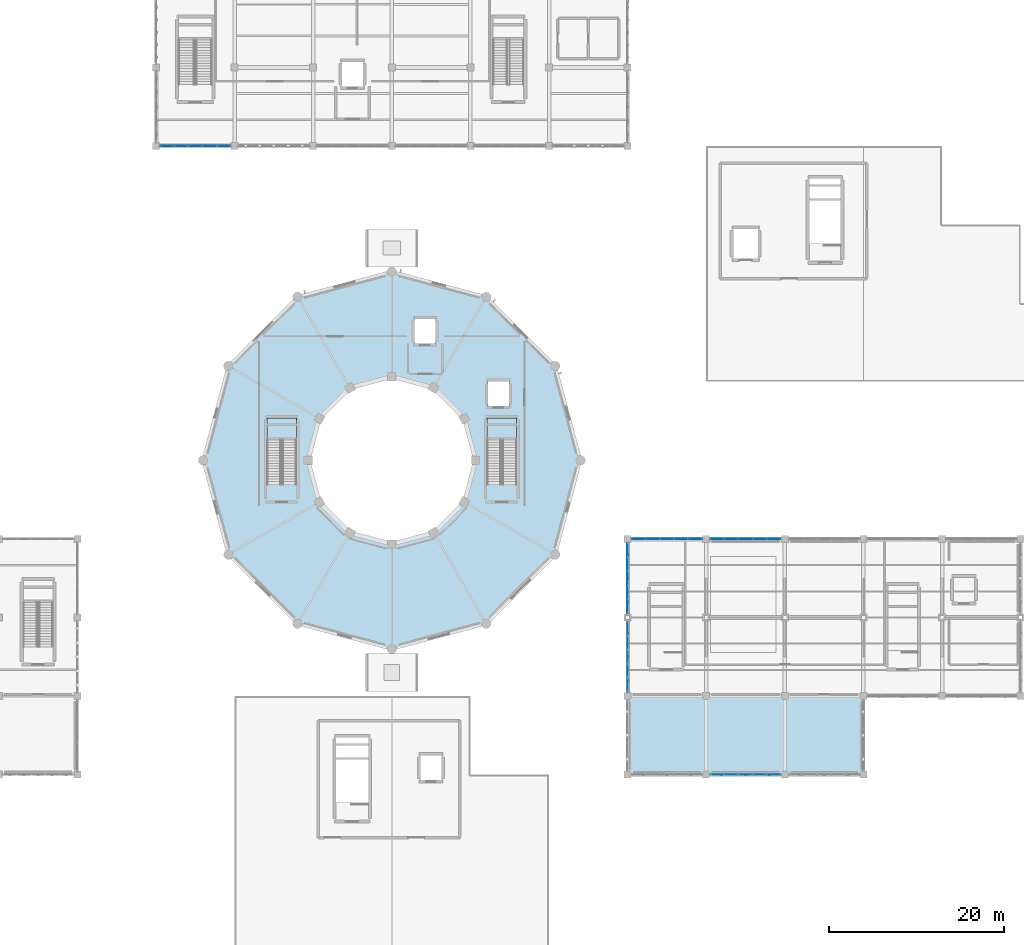
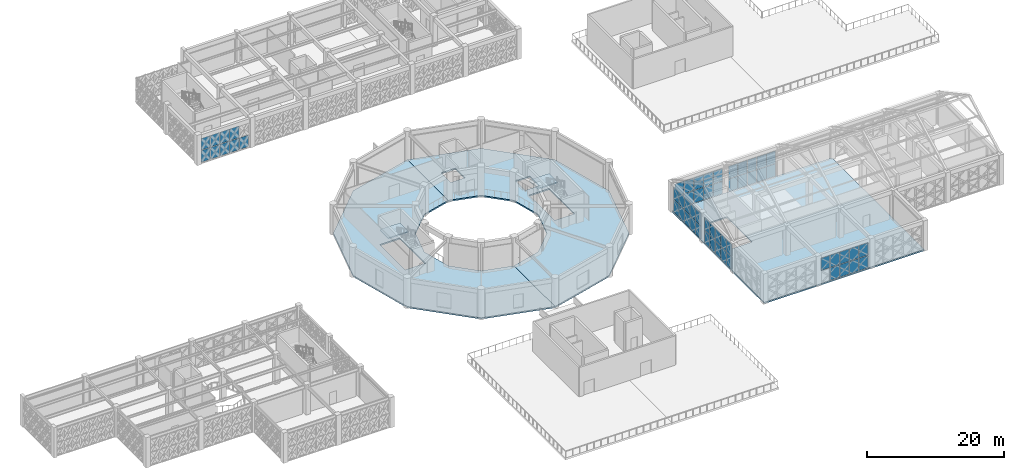
# One storey, part 64 of 86: 58 plates, 5 slabs, 8 elements without a shape of their own.
"""IFC4 building model written with IfcOpenShell, lengths in metres."""

from ifc_helpers import new_model, si_unit, direction, frame, origin, origin_2d, place, context, subcontext, project, spatial, polyline, rectangle, outline, extrude, material, layer, layer_set, type_object, element, aggregate, save


model = new_model("IFC4")

# Units and contexts
model_context = context("Model", 3, precision=1e-05, world=origin(), true_north=direction((0.0, 1.0)))
body_context = subcontext(model_context, "Body", "Model", "MODEL_VIEW")
ifc_project = project(units=[si_unit("LENGTHUNIT", "METRE"), si_unit("AREAUNIT", "SQUARE_METRE"), si_unit("VOLUMEUNIT", "CUBIC_METRE"), si_unit("PLANEANGLEUNIT", "RADIAN"), si_unit("MASSUNIT", "GRAM", prefix="KILO")], contexts=[model_context])

# Site, building, storey
site_placement = place(None, origin())
site = spatial("IfcSite", under=ifc_project, at=site_placement, CompositionType="ELEMENT")
building_placement = place(site_placement, origin())
building = spatial("IfcBuilding", under=site, at=building_placement, Name="Haizhuo Lancet Aquarium", CompositionType="ELEMENT")
storey_placement = place(building_placement, frame((0.0, 0.0, 16.199951171875)))
storey = spatial("IfcBuildingStorey", under=building, at=storey_placement, Name="L03", CompositionType="ELEMENT", Elevation=16.199951171875)

# Curtain wall, plates
ifc_material_1 = material(Name="Aluminium 6063-T6", Category="aluminium")
curtain_wall_type_1 = type_object("IfcCurtainWallType", Name="CWO-8110x4700", PredefinedType="NOTDEFINED", material=ifc_material_1)
curtain_wall_1_placement = place(storey_placement, origin())
curtain_wall_1 = element("IfcCurtainWall", 1, at=curtain_wall_1_placement, inside=storey, type_object=curtain_wall_type_1, Name="L03 curtain wall CW-V3-L03-081", PredefinedType="NOTDEFINED")
ifc_material_2 = material(Name="Laminated Low-E Glass", Category="glass")
ifc_layer_1 = layer(ifc_material_2, 0.028076171875)
ifc_layer_set_1 = layer_set([ifc_layer_1], Name="Laminated Low-E Glass")
plate_type_1 = type_object("IfcPlateType", Name="CW-PNL-1", PredefinedType="CURTAIN_PANEL", material=ifc_layer_set_1)
plate_1_placement = place(storey_placement, frame((27.0, -25.72412109375, 0.080078125), z_axis=(0.0, 0.0, 1.0), x_axis=(0.0, 1.0, 0.0)))
plate_1 = element("IfcPlate", 2, at=plate_1_placement, type_object=plate_type_1, Name="CWO-81x47 panel 1.1", PredefinedType="CURTAIN_PANEL", context=body_context, shape_type="SweptSolid", body=[
    extrude(rectangle(XDim=1.501953125, YDim=0.028076171875, at=origin_2d()), origin(), (0.0, 0.0, 1.0), 2.22998046875),
])
plate_2_placement = place(storey_placement, frame((27.0, -25.72412109375, 2.39013671875), z_axis=(0.0, 0.0, 1.0), x_axis=(0.0, 1.0, 0.0)))
plate_2 = element("IfcPlate", 3, at=plate_2_placement, type_object=plate_type_1, Name="CWO-81x47 panel 1.2", PredefinedType="CURTAIN_PANEL", context=body_context, shape_type="SweptSolid", body=[
    extrude(rectangle(XDim=1.501953125, YDim=0.028076171875, at=origin_2d()), origin(), (0.0, 0.0, 1.0), 2.22998046875),
])
plate_3_placement = place(storey_placement, frame((27.0, -24.1220703125, 0.080078125), z_axis=(0.0, 0.0, 1.0), x_axis=(0.0, 1.0, 0.0)))
plate_3 = element("IfcPlate", 4, at=plate_3_placement, type_object=plate_type_1, Name="CWO-81x47 panel 2.1", PredefinedType="CURTAIN_PANEL", context=body_context, shape_type="SweptSolid", body=[
    extrude(rectangle(XDim=1.5419921875, YDim=0.028076171875, at=origin_2d()), origin(), (0.0, 0.0, 1.0), 2.22998046875),
])
plate_4_placement = place(storey_placement, frame((27.0, -24.1220703125, 2.39013671875), z_axis=(0.0, 0.0, 1.0), x_axis=(0.0, 1.0, 0.0)))
plate_4 = element("IfcPlate", 5, at=plate_4_placement, type_object=plate_type_1, Name="CWO-81x47 panel 2.2", PredefinedType="CURTAIN_PANEL", context=body_context, shape_type="SweptSolid", body=[
    extrude(rectangle(XDim=1.5419921875, YDim=0.028076171875, at=origin_2d()), origin(), (0.0, 0.0, 1.0), 2.22998046875),
])
plate_5_placement = place(storey_placement, frame((27.0, -22.5, 0.080078125), z_axis=(0.0, 0.0, 1.0), x_axis=(0.0, 1.0, 0.0)))
plate_5 = element("IfcPlate", 6, at=plate_5_placement, type_object=plate_type_1, Name="CWO-81x47 panel 3.1", PredefinedType="CURTAIN_PANEL", context=body_context, shape_type="SweptSolid", body=[
    extrude(rectangle(XDim=1.5419921875, YDim=0.028076171875, at=origin_2d()), origin(), (0.0, 0.0, 1.0), 2.22998046875),
])
plate_6_placement = place(storey_placement, frame((27.0, -22.5, 2.39013671875), z_axis=(0.0, 0.0, 1.0), x_axis=(0.0, 1.0, 0.0)))
plate_6 = element("IfcPlate", 7, at=plate_6_placement, type_object=plate_type_1, Name="CWO-81x47 panel 3.2", PredefinedType="CURTAIN_PANEL", context=body_context, shape_type="SweptSolid", body=[
    extrude(rectangle(XDim=1.5419921875, YDim=0.028076171875, at=origin_2d()), origin(), (0.0, 0.0, 1.0), 2.22998046875),
])
plate_7_placement = place(storey_placement, frame((27.0, -20.8779296875, 0.080078125), z_axis=(0.0, 0.0, 1.0), x_axis=(0.0, 1.0, 0.0)))
plate_7 = element("IfcPlate", 8, at=plate_7_placement, type_object=plate_type_1, Name="CWO-81x47 panel 4.1", PredefinedType="CURTAIN_PANEL", context=body_context, shape_type="SweptSolid", body=[
    extrude(rectangle(XDim=1.5419921875, YDim=0.028076171875, at=origin_2d()), origin(), (0.0, 0.0, 1.0), 2.22998046875),
])
plate_8_placement = place(storey_placement, frame((27.0, -20.8779296875, 2.39013671875), z_axis=(0.0, 0.0, 1.0), x_axis=(0.0, 1.0, 0.0)))
plate_8 = element("IfcPlate", 9, at=plate_8_placement, type_object=plate_type_1, Name="CWO-81x47 panel 4.2", PredefinedType="CURTAIN_PANEL", context=body_context, shape_type="SweptSolid", body=[
    extrude(rectangle(XDim=1.5419921875, YDim=0.028076171875, at=origin_2d()), origin(), (0.0, 0.0, 1.0), 2.22998046875),
])
plate_9_placement = place(storey_placement, frame((27.0, -19.27587890625, 0.080078125), z_axis=(0.0, 0.0, 1.0), x_axis=(0.0, 1.0, 0.0)))
plate_9 = element("IfcPlate", 10, at=plate_9_placement, type_object=plate_type_1, Name="CWO-81x47 panel 5.1", PredefinedType="CURTAIN_PANEL", context=body_context, shape_type="SweptSolid", body=[
    extrude(rectangle(XDim=1.501953125, YDim=0.028076171875, at=origin_2d()), origin(), (0.0, 0.0, 1.0), 2.22998046875),
])
plate_10_placement = place(storey_placement, frame((27.0, -19.27587890625, 2.39013671875), z_axis=(0.0, 0.0, 1.0), x_axis=(0.0, 1.0, 0.0)))
plate_10 = element("IfcPlate", 11, at=plate_10_placement, type_object=plate_type_1, Name="CWO-81x47 panel 5.2", PredefinedType="CURTAIN_PANEL", context=body_context, shape_type="SweptSolid", body=[
    extrude(rectangle(XDim=1.501953125, YDim=0.028076171875, at=origin_2d()), origin(), (0.0, 0.0, 1.0), 2.22998046875),
])
aggregate(curtain_wall_1, [plate_1, plate_2, plate_3, plate_4, plate_5, plate_6, plate_7, plate_8, plate_9, plate_10])

curtain_wall_type_2 = type_object("IfcCurtainWallType", Name="CWD-8110x4400", PredefinedType="NOTDEFINED", material=ifc_material_1)
curtain_wall_2_placement = place(storey_placement, origin())
curtain_wall_2 = element("IfcCurtainWall", 12, at=curtain_wall_2_placement, inside=storey, type_object=curtain_wall_type_2, Name="L03 curtain wall CW-V5-L03-173", PredefinedType="NOTDEFINED")
plate_11_placement = place(storey_placement, frame((-19.27490234375, 36.0, 0.07568359375), z_axis=(0.0, 0.0, 1.0), x_axis=(-1.0, 0.0, 0.0)))
plate_11 = element("IfcPlate", 13, at=plate_11_placement, type_object=plate_type_1, Name="CWD-81x44 panel 1.1", PredefinedType="CURTAIN_PANEL", context=body_context, shape_type="SweptSolid", body=[
    extrude(rectangle(XDim=1.509033203125, YDim=0.028076171875, at=origin_2d()), origin(), (0.0, 0.0, 1.0), 2.0869140625),
])
plate_12_placement = place(storey_placement, frame((-20.8779296875, 36.0, 0.07568359375), z_axis=(0.0, 0.0, 1.0), x_axis=(-1.0, 0.0, 0.0)))
plate_12 = element("IfcPlate", 14, at=plate_12_placement, type_object=plate_type_1, Name="CWD-81x44 panel 2.1", PredefinedType="CURTAIN_PANEL", context=body_context, shape_type="SweptSolid", body=[
    extrude(rectangle(XDim=1.547119140625, YDim=0.028076171875, at=origin_2d()), origin(), (0.0, 0.0, 1.0), 2.0869140625),
])
plate_13_placement = place(storey_placement, frame((-20.8779296875, 36.0, 2.237548828125), z_axis=(0.0, 0.0, 1.0), x_axis=(-1.0, 0.0, 0.0)))
plate_13 = element("IfcPlate", 15, at=plate_13_placement, type_object=plate_type_1, Name="CWD-81x44 panel 2.2", PredefinedType="CURTAIN_PANEL", context=body_context, shape_type="SweptSolid", body=[
    extrude(rectangle(XDim=1.547119140625, YDim=0.028076171875, at=origin_2d()), origin(), (0.0, 0.0, 1.0), 2.0869140625),
])
plate_14_placement = place(storey_placement, frame((-22.5, 36.0, 0.07568359375), z_axis=(0.0, 0.0, 1.0), x_axis=(-1.0, 0.0, 0.0)))
plate_14 = element("IfcPlate", 16, at=plate_14_placement, type_object=plate_type_1, Name="CWD-81x44 panel 3.1", PredefinedType="CURTAIN_PANEL", context=body_context, shape_type="SweptSolid", body=[
    extrude(rectangle(XDim=1.547119140625, YDim=0.028076171875, at=origin_2d()), origin(), (0.0, 0.0, 1.0), 2.0869140625),
])
plate_15_placement = place(storey_placement, frame((-22.5, 36.0, 2.237548828125), z_axis=(0.0, 0.0, 1.0), x_axis=(-1.0, 0.0, 0.0)))
plate_15 = element("IfcPlate", 17, at=plate_15_placement, type_object=plate_type_1, Name="CWD-81x44 panel 3.2", PredefinedType="CURTAIN_PANEL", context=body_context, shape_type="SweptSolid", body=[
    extrude(rectangle(XDim=1.547119140625, YDim=0.028076171875, at=origin_2d()), origin(), (0.0, 0.0, 1.0), 2.0869140625),
])
plate_16_placement = place(storey_placement, frame((-24.1220703125, 36.0, 0.07568359375), z_axis=(0.0, 0.0, 1.0), x_axis=(-1.0, 0.0, 0.0)))
plate_16 = element("IfcPlate", 18, at=plate_16_placement, type_object=plate_type_1, Name="CWD-81x44 panel 4.1", PredefinedType="CURTAIN_PANEL", context=body_context, shape_type="SweptSolid", body=[
    extrude(rectangle(XDim=1.547119140625, YDim=0.028076171875, at=origin_2d()), origin(), (0.0, 0.0, 1.0), 2.0869140625),
])
plate_17_placement = place(storey_placement, frame((-24.1220703125, 36.0, 2.237548828125), z_axis=(0.0, 0.0, 1.0), x_axis=(-1.0, 0.0, 0.0)))
plate_17 = element("IfcPlate", 19, at=plate_17_placement, type_object=plate_type_1, Name="CWD-81x44 panel 4.2", PredefinedType="CURTAIN_PANEL", context=body_context, shape_type="SweptSolid", body=[
    extrude(rectangle(XDim=1.547119140625, YDim=0.028076171875, at=origin_2d()), origin(), (0.0, 0.0, 1.0), 2.0869140625),
])
plate_18_placement = place(storey_placement, frame((-25.72509765625, 36.0, 0.07568359375), z_axis=(0.0, 0.0, 1.0), x_axis=(-1.0, 0.0, 0.0)))
plate_18 = element("IfcPlate", 20, at=plate_18_placement, type_object=plate_type_1, Name="CWD-81x44 panel 5.1", PredefinedType="CURTAIN_PANEL", context=body_context, shape_type="SweptSolid", body=[
    extrude(rectangle(XDim=1.510009765625, YDim=0.028076171875, at=origin_2d()), origin(), (0.0, 0.0, 1.0), 2.0869140625),
])
plate_19_placement = place(storey_placement, frame((-25.72509765625, 36.0, 2.237548828125), z_axis=(0.0, 0.0, 1.0), x_axis=(-1.0, 0.0, 0.0)))
plate_19 = element("IfcPlate", 21, at=plate_19_placement, type_object=plate_type_1, Name="CWD-81x44 panel 5.2", PredefinedType="CURTAIN_PANEL", context=body_context, shape_type="SweptSolid", body=[
    extrude(rectangle(XDim=1.510009765625, YDim=0.028076171875, at=origin_2d()), origin(), (0.0, 0.0, 1.0), 2.0869140625),
])
aggregate(curtain_wall_2, [plate_11, plate_12, plate_13, plate_14, plate_15, plate_16, plate_17, plate_18, plate_19])

curtain_wall_type_3 = type_object("IfcCurtainWallType", Name="CWO-8110x4650", PredefinedType="NOTDEFINED", material=ifc_material_1)
curtain_wall_3_placement = place(storey_placement, origin())
curtain_wall_3 = element("IfcCurtainWall", 22, at=curtain_wall_3_placement, inside=storey, type_object=curtain_wall_type_3, Name="L03 curtain wall CW-V3-L03-078", PredefinedType="NOTDEFINED")
ifc_layer_2 = layer(ifc_material_2, 0.033935546875)
ifc_layer_set_2 = layer_set([ifc_layer_2], Name="Laminated Low-E Glass")
plate_type_2 = type_object("IfcPlateType", Name="CW-PNL-2", PredefinedType="CURTAIN_PANEL", material=ifc_layer_set_2)
plate_20_placement = place(storey_placement, frame((43.72412109375, -36.0, 0.08056640625), z_axis=(0.0, 0.0, 1.0), x_axis=(-1.0, 0.0, 0.0)))
plate_20 = element("IfcPlate", 23, at=plate_20_placement, type_object=plate_type_2, Name="CWO-81x46 panel 1.1", PredefinedType="CURTAIN_PANEL", context=body_context, shape_type="SweptSolid", body=[
    extrude(rectangle(XDim=1.501953125, YDim=0.033935546875, at=origin_2d()), origin(), (0.0, 0.0, 1.0), 2.205078125),
])
plate_21_placement = place(storey_placement, frame((43.72412109375, -36.0, 2.365478515625), z_axis=(0.0, 0.0, 1.0), x_axis=(-1.0, 0.0, 0.0)))
plate_21 = element("IfcPlate", 24, at=plate_21_placement, type_object=plate_type_2, Name="CWO-81x46 panel 1.2", PredefinedType="CURTAIN_PANEL", context=body_context, shape_type="SweptSolid", body=[
    extrude(rectangle(XDim=1.501953125, YDim=0.033935546875, at=origin_2d()), origin(), (0.0, 0.0, 1.0), 2.205078125),
])
plate_22_placement = place(storey_placement, frame((42.1220703125, -36.0, 0.08056640625), z_axis=(0.0, 0.0, 1.0), x_axis=(-1.0, 0.0, 0.0)))
plate_22 = element("IfcPlate", 25, at=plate_22_placement, type_object=plate_type_2, Name="CWO-81x46 panel 2.1", PredefinedType="CURTAIN_PANEL", context=body_context, shape_type="SweptSolid", body=[
    extrude(rectangle(XDim=1.5419921875, YDim=0.033935546875, at=origin_2d()), origin(), (0.0, 0.0, 1.0), 2.205078125),
])
plate_23_placement = place(storey_placement, frame((42.1220703125, -36.0, 2.365478515625), z_axis=(0.0, 0.0, 1.0), x_axis=(-1.0, 0.0, 0.0)))
plate_23 = element("IfcPlate", 26, at=plate_23_placement, type_object=plate_type_2, Name="CWO-81x46 panel 2.2", PredefinedType="CURTAIN_PANEL", context=body_context, shape_type="SweptSolid", body=[
    extrude(rectangle(XDim=1.5419921875, YDim=0.033935546875, at=origin_2d()), origin(), (0.0, 0.0, 1.0), 2.205078125),
])
plate_24_placement = place(storey_placement, frame((40.5, -36.0, 0.08056640625), z_axis=(0.0, 0.0, 1.0), x_axis=(-1.0, 0.0, 0.0)))
plate_24 = element("IfcPlate", 27, at=plate_24_placement, type_object=plate_type_2, Name="CWO-81x46 panel 3.1", PredefinedType="CURTAIN_PANEL", context=body_context, shape_type="SweptSolid", body=[
    extrude(rectangle(XDim=1.5419921875, YDim=0.033935546875, at=origin_2d()), origin(), (0.0, 0.0, 1.0), 2.205078125),
])
plate_25_placement = place(storey_placement, frame((40.5, -36.0, 2.365478515625), z_axis=(0.0, 0.0, 1.0), x_axis=(-1.0, 0.0, 0.0)))
plate_25 = element("IfcPlate", 28, at=plate_25_placement, type_object=plate_type_2, Name="CWO-81x46 panel 3.2", PredefinedType="CURTAIN_PANEL", context=body_context, shape_type="SweptSolid", body=[
    extrude(rectangle(XDim=1.5419921875, YDim=0.033935546875, at=origin_2d()), origin(), (0.0, 0.0, 1.0), 2.205078125),
])
plate_26_placement = place(storey_placement, frame((38.8779296875, -36.0, 0.08056640625), z_axis=(0.0, 0.0, 1.0), x_axis=(-1.0, 0.0, 0.0)))
plate_26 = element("IfcPlate", 29, at=plate_26_placement, type_object=plate_type_2, Name="CWO-81x46 panel 4.1", PredefinedType="CURTAIN_PANEL", context=body_context, shape_type="SweptSolid", body=[
    extrude(rectangle(XDim=1.5419921875, YDim=0.033935546875, at=origin_2d()), origin(), (0.0, 0.0, 1.0), 2.205078125),
])
plate_27_placement = place(storey_placement, frame((38.8779296875, -36.0, 2.365478515625), z_axis=(0.0, 0.0, 1.0), x_axis=(-1.0, 0.0, 0.0)))
plate_27 = element("IfcPlate", 30, at=plate_27_placement, type_object=plate_type_2, Name="CWO-81x46 panel 4.2", PredefinedType="CURTAIN_PANEL", context=body_context, shape_type="SweptSolid", body=[
    extrude(rectangle(XDim=1.5419921875, YDim=0.033935546875, at=origin_2d()), origin(), (0.0, 0.0, 1.0), 2.205078125),
])
plate_28_placement = place(storey_placement, frame((37.27587890625, -36.0, 2.365478515625), z_axis=(0.0, 0.0, 1.0), x_axis=(-1.0, 0.0, 0.0)))
plate_28 = element("IfcPlate", 31, at=plate_28_placement, type_object=plate_type_2, Name="CWO-81x46 panel 5.2", PredefinedType="CURTAIN_PANEL", context=body_context, shape_type="SweptSolid", body=[
    extrude(rectangle(XDim=1.501953125, YDim=0.033935546875, at=origin_2d()), origin(), (0.0, 0.0, 1.0), 2.205078125),
])
aggregate(curtain_wall_3, [plate_20, plate_21, plate_22, plate_23, plate_24, plate_25, plate_26, plate_27, plate_28])

curtain_wall_4_placement = place(storey_placement, origin())
curtain_wall_4 = element("IfcCurtainWall", 32, at=curtain_wall_4_placement, inside=storey, type_object=curtain_wall_type_1, Name="L03 curtain wall CW-V3-L03-082", PredefinedType="NOTDEFINED")
plate_29_placement = place(storey_placement, frame((27.0, -16.72802734375, 0.064697265625), z_axis=(0.0, 0.0, 1.0), x_axis=(0.0, 1.0, 0.0)))
plate_29 = element("IfcPlate", 33, at=plate_29_placement, type_object=plate_type_2, Name="CWO-81x47 panel 1.1", PredefinedType="CURTAIN_PANEL", context=body_context, shape_type="SweptSolid", body=[
    extrude(rectangle(XDim=1.52392578125, YDim=0.033935546875, at=origin_2d()), origin(), (0.0, 0.0, 1.0), 2.2529296875),
])
plate_30_placement = place(storey_placement, frame((27.0, -16.72802734375, 2.382568359375), z_axis=(0.0, 0.0, 1.0), x_axis=(0.0, 1.0, 0.0)))
plate_30 = element("IfcPlate", 34, at=plate_30_placement, type_object=plate_type_2, Name="CWO-81x47 panel 1.2", PredefinedType="CURTAIN_PANEL", context=body_context, shape_type="SweptSolid", body=[
    extrude(rectangle(XDim=1.52392578125, YDim=0.033935546875, at=origin_2d()), origin(), (0.0, 0.0, 1.0), 2.2529296875),
])
plate_31_placement = place(storey_placement, frame((27.0, -15.1220703125, 0.064697265625), z_axis=(0.0, 0.0, 1.0), x_axis=(0.0, 1.0, 0.0)))
plate_31 = element("IfcPlate", 35, at=plate_31_placement, type_object=plate_type_2, Name="CWO-81x47 panel 2.1", PredefinedType="CURTAIN_PANEL", context=body_context, shape_type="SweptSolid", body=[
    extrude(rectangle(XDim=1.556884765625, YDim=0.033935546875, at=origin_2d()), origin(), (0.0, 0.0, 1.0), 2.2529296875),
])
plate_32_placement = place(storey_placement, frame((27.0, -15.1220703125, 2.382568359375), z_axis=(0.0, 0.0, 1.0), x_axis=(0.0, 1.0, 0.0)))
plate_32 = element("IfcPlate", 36, at=plate_32_placement, type_object=plate_type_2, Name="CWO-81x47 panel 2.2", PredefinedType="CURTAIN_PANEL", context=body_context, shape_type="SweptSolid", body=[
    extrude(rectangle(XDim=1.556884765625, YDim=0.033935546875, at=origin_2d()), origin(), (0.0, 0.0, 1.0), 2.2529296875),
])
plate_33_placement = place(storey_placement, frame((27.0, -13.5, 0.064697265625), z_axis=(0.0, 0.0, 1.0), x_axis=(0.0, 1.0, 0.0)))
plate_33 = element("IfcPlate", 37, at=plate_33_placement, type_object=plate_type_2, Name="CWO-81x47 panel 3.1", PredefinedType="CURTAIN_PANEL", context=body_context, shape_type="SweptSolid", body=[
    extrude(rectangle(XDim=1.556884765625, YDim=0.033935546875, at=origin_2d()), origin(), (0.0, 0.0, 1.0), 2.2529296875),
])
plate_34_placement = place(storey_placement, frame((27.0, -13.5, 2.382568359375), z_axis=(0.0, 0.0, 1.0), x_axis=(0.0, 1.0, 0.0)))
plate_34 = element("IfcPlate", 38, at=plate_34_placement, type_object=plate_type_2, Name="CWO-81x47 panel 3.2", PredefinedType="CURTAIN_PANEL", context=body_context, shape_type="SweptSolid", body=[
    extrude(rectangle(XDim=1.556884765625, YDim=0.033935546875, at=origin_2d()), origin(), (0.0, 0.0, 1.0), 2.2529296875),
])
plate_35_placement = place(storey_placement, frame((27.0, -11.8779296875, 0.064697265625), z_axis=(0.0, 0.0, 1.0), x_axis=(0.0, 1.0, 0.0)))
plate_35 = element("IfcPlate", 39, at=plate_35_placement, type_object=plate_type_2, Name="CWO-81x47 panel 4.1", PredefinedType="CURTAIN_PANEL", context=body_context, shape_type="SweptSolid", body=[
    extrude(rectangle(XDim=1.556884765625, YDim=0.033935546875, at=origin_2d()), origin(), (0.0, 0.0, 1.0), 2.2529296875),
])
plate_36_placement = place(storey_placement, frame((27.0, -11.8779296875, 2.382568359375), z_axis=(0.0, 0.0, 1.0), x_axis=(0.0, 1.0, 0.0)))
plate_36 = element("IfcPlate", 40, at=plate_36_placement, type_object=plate_type_2, Name="CWO-81x47 panel 4.2", PredefinedType="CURTAIN_PANEL", context=body_context, shape_type="SweptSolid", body=[
    extrude(rectangle(XDim=1.556884765625, YDim=0.033935546875, at=origin_2d()), origin(), (0.0, 0.0, 1.0), 2.2529296875),
])
plate_37_placement = place(storey_placement, frame((27.0, -10.27197265625, 0.064697265625), z_axis=(0.0, 0.0, 1.0), x_axis=(0.0, 1.0, 0.0)))
plate_37 = element("IfcPlate", 41, at=plate_37_placement, type_object=plate_type_2, Name="CWO-81x47 panel 5.1", PredefinedType="CURTAIN_PANEL", context=body_context, shape_type="SweptSolid", body=[
    extrude(rectangle(XDim=1.52392578125, YDim=0.033935546875, at=origin_2d()), origin(), (0.0, 0.0, 1.0), 2.2529296875),
])
plate_38_placement = place(storey_placement, frame((27.0, -10.27197265625, 2.382568359375), z_axis=(0.0, 0.0, 1.0), x_axis=(0.0, 1.0, 0.0)))
plate_38 = element("IfcPlate", 42, at=plate_38_placement, type_object=plate_type_2, Name="CWO-81x47 panel 5.2", PredefinedType="CURTAIN_PANEL", context=body_context, shape_type="SweptSolid", body=[
    extrude(rectangle(XDim=1.52392578125, YDim=0.033935546875, at=origin_2d()), origin(), (0.0, 0.0, 1.0), 2.2529296875),
])
aggregate(curtain_wall_4, [plate_29, plate_30, plate_31, plate_32, plate_33, plate_34, plate_35, plate_36, plate_37, plate_38])

curtain_wall_5_placement = place(storey_placement, origin())
curtain_wall_5 = element("IfcCurtainWall", 43, at=curtain_wall_5_placement, inside=storey, type_object=curtain_wall_type_3, Name="L03 curtain wall CW-V3-L03-067", PredefinedType="NOTDEFINED")
ifc_layer_3 = layer(ifc_material_2, 0.0419921875)
ifc_layer_set_3 = layer_set([ifc_layer_3], Name="Laminated Low-E Glass")
plate_type_3 = type_object("IfcPlateType", Name="CW-PNL-3", PredefinedType="CURTAIN_PANEL", material=ifc_layer_set_3)
plate_39_placement = place(storey_placement, frame((28.27197265625, -9.0, 0.06494140625), z_axis=(0.0, 0.0, 1.0), x_axis=(1.0, 0.0, 0.0)))
plate_39 = element("IfcPlate", 44, at=plate_39_placement, type_object=plate_type_3, Name="CWO-81x46 panel 1.1", PredefinedType="CURTAIN_PANEL", context=body_context, shape_type="SweptSolid", body=[
    extrude(rectangle(XDim=1.52392578125, YDim=0.0419921875, at=origin_2d()), origin(), (0.0, 0.0, 1.0), 2.22802734375),
])
plate_40_placement = place(storey_placement, frame((28.27197265625, -9.0, 2.35693359375), z_axis=(0.0, 0.0, 1.0), x_axis=(1.0, 0.0, 0.0)))
plate_40 = element("IfcPlate", 45, at=plate_40_placement, type_object=plate_type_3, Name="CWO-81x46 panel 1.2", PredefinedType="CURTAIN_PANEL", context=body_context, shape_type="SweptSolid", body=[
    extrude(rectangle(XDim=1.52392578125, YDim=0.0419921875, at=origin_2d()), origin(), (0.0, 0.0, 1.0), 2.22802734375),
])
plate_41_placement = place(storey_placement, frame((29.8779296875, -9.0, 0.06494140625), z_axis=(0.0, 0.0, 1.0), x_axis=(1.0, 0.0, 0.0)))
plate_41 = element("IfcPlate", 46, at=plate_41_placement, type_object=plate_type_3, Name="CWO-81x46 panel 2.1", PredefinedType="CURTAIN_PANEL", context=body_context, shape_type="SweptSolid", body=[
    extrude(rectangle(XDim=1.556884765625, YDim=0.0419921875, at=origin_2d()), origin(), (0.0, 0.0, 1.0), 2.22802734375),
])
plate_42_placement = place(storey_placement, frame((29.8779296875, -9.0, 2.35693359375), z_axis=(0.0, 0.0, 1.0), x_axis=(1.0, 0.0, 0.0)))
plate_42 = element("IfcPlate", 47, at=plate_42_placement, type_object=plate_type_3, Name="CWO-81x46 panel 2.2", PredefinedType="CURTAIN_PANEL", context=body_context, shape_type="SweptSolid", body=[
    extrude(rectangle(XDim=1.556884765625, YDim=0.0419921875, at=origin_2d()), origin(), (0.0, 0.0, 1.0), 2.22802734375),
])
plate_43_placement = place(storey_placement, frame((31.5, -9.0, 0.06494140625), z_axis=(0.0, 0.0, 1.0), x_axis=(1.0, 0.0, 0.0)))
plate_43 = element("IfcPlate", 48, at=plate_43_placement, type_object=plate_type_3, Name="CWO-81x46 panel 3.1", PredefinedType="CURTAIN_PANEL", context=body_context, shape_type="SweptSolid", body=[
    extrude(rectangle(XDim=1.556884765625, YDim=0.0419921875, at=origin_2d()), origin(), (0.0, 0.0, 1.0), 2.22802734375),
])
plate_44_placement = place(storey_placement, frame((31.5, -9.0, 2.35693359375), z_axis=(0.0, 0.0, 1.0), x_axis=(1.0, 0.0, 0.0)))
plate_44 = element("IfcPlate", 49, at=plate_44_placement, type_object=plate_type_3, Name="CWO-81x46 panel 3.2", PredefinedType="CURTAIN_PANEL", context=body_context, shape_type="SweptSolid", body=[
    extrude(rectangle(XDim=1.556884765625, YDim=0.0419921875, at=origin_2d()), origin(), (0.0, 0.0, 1.0), 2.22802734375),
])
plate_45_placement = place(storey_placement, frame((33.1220703125, -9.0, 0.06494140625), z_axis=(0.0, 0.0, 1.0), x_axis=(1.0, 0.0, 0.0)))
plate_45 = element("IfcPlate", 50, at=plate_45_placement, type_object=plate_type_3, Name="CWO-81x46 panel 4.1", PredefinedType="CURTAIN_PANEL", context=body_context, shape_type="SweptSolid", body=[
    extrude(rectangle(XDim=1.556884765625, YDim=0.0419921875, at=origin_2d()), origin(), (0.0, 0.0, 1.0), 2.22802734375),
])
plate_46_placement = place(storey_placement, frame((33.1220703125, -9.0, 2.35693359375), z_axis=(0.0, 0.0, 1.0), x_axis=(1.0, 0.0, 0.0)))
plate_46 = element("IfcPlate", 51, at=plate_46_placement, type_object=plate_type_3, Name="CWO-81x46 panel 4.2", PredefinedType="CURTAIN_PANEL", context=body_context, shape_type="SweptSolid", body=[
    extrude(rectangle(XDim=1.556884765625, YDim=0.0419921875, at=origin_2d()), origin(), (0.0, 0.0, 1.0), 2.22802734375),
])
plate_47_placement = place(storey_placement, frame((34.72802734375, -9.0, 0.06494140625), z_axis=(0.0, 0.0, 1.0), x_axis=(1.0, 0.0, 0.0)))
plate_47 = element("IfcPlate", 52, at=plate_47_placement, type_object=plate_type_3, Name="CWO-81x46 panel 5.1", PredefinedType="CURTAIN_PANEL", context=body_context, shape_type="SweptSolid", body=[
    extrude(rectangle(XDim=1.52392578125, YDim=0.0419921875, at=origin_2d()), origin(), (0.0, 0.0, 1.0), 2.22802734375),
])
plate_48_placement = place(storey_placement, frame((34.72802734375, -9.0, 2.35693359375), z_axis=(0.0, 0.0, 1.0), x_axis=(1.0, 0.0, 0.0)))
plate_48 = element("IfcPlate", 53, at=plate_48_placement, type_object=plate_type_3, Name="CWO-81x46 panel 5.2", PredefinedType="CURTAIN_PANEL", context=body_context, shape_type="SweptSolid", body=[
    extrude(rectangle(XDim=1.52392578125, YDim=0.0419921875, at=origin_2d()), origin(), (0.0, 0.0, 1.0), 2.22802734375),
])
aggregate(curtain_wall_5, [plate_39, plate_40, plate_41, plate_42, plate_43, plate_44, plate_45, plate_46, plate_47, plate_48])

curtain_wall_6_placement = place(storey_placement, origin())
curtain_wall_6 = element("IfcCurtainWall", 54, at=curtain_wall_6_placement, inside=storey, type_object=curtain_wall_type_3, Name="L03 curtain wall CW-V3-L03-068", PredefinedType="NOTDEFINED")
ifc_layer_4 = layer(ifc_material_2, 0.052001953125)
ifc_layer_set_4 = layer_set([ifc_layer_4], Name="Laminated Low-E Glass")
plate_type_4 = type_object("IfcPlateType", Name="CW-PNL-4", PredefinedType="CURTAIN_PANEL", material=ifc_layer_set_4)
plate_49_placement = place(storey_placement, frame((37.27490234375, -9.0, 0.0751953125), z_axis=(0.0, 0.0, 1.0), x_axis=(1.0, 0.0, 0.0)))
plate_49 = element("IfcPlate", 55, at=plate_49_placement, type_object=plate_type_4, Name="CWO-81x46 panel 1.1", PredefinedType="CURTAIN_PANEL", context=body_context, shape_type="SweptSolid", body=[
    extrude(rectangle(XDim=1.509033203125, YDim=0.052001953125, at=origin_2d()), origin(), (0.0, 0.0, 1.0), 2.2119140625),
])
plate_50_placement = place(storey_placement, frame((37.27490234375, -9.0, 2.363037109375), z_axis=(0.0, 0.0, 1.0), x_axis=(1.0, 0.0, 0.0)))
plate_50 = element("IfcPlate", 56, at=plate_50_placement, type_object=plate_type_4, Name="CWO-81x46 panel 1.2", PredefinedType="CURTAIN_PANEL", context=body_context, shape_type="SweptSolid", body=[
    extrude(rectangle(XDim=1.509033203125, YDim=0.052001953125, at=origin_2d()), origin(), (0.0, 0.0, 1.0), 2.2119140625),
])
plate_51_placement = place(storey_placement, frame((38.8779296875, -9.0, 0.0751953125), z_axis=(0.0, 0.0, 1.0), x_axis=(1.0, 0.0, 0.0)))
plate_51 = element("IfcPlate", 57, at=plate_51_placement, type_object=plate_type_4, Name="CWO-81x46 panel 2.1", PredefinedType="CURTAIN_PANEL", context=body_context, shape_type="SweptSolid", body=[
    extrude(rectangle(XDim=1.547119140625, YDim=0.052001953125, at=origin_2d()), origin(), (0.0, 0.0, 1.0), 2.2119140625),
])
plate_52_placement = place(storey_placement, frame((38.8779296875, -9.0, 2.363037109375), z_axis=(0.0, 0.0, 1.0), x_axis=(1.0, 0.0, 0.0)))
plate_52 = element("IfcPlate", 58, at=plate_52_placement, type_object=plate_type_4, Name="CWO-81x46 panel 2.2", PredefinedType="CURTAIN_PANEL", context=body_context, shape_type="SweptSolid", body=[
    extrude(rectangle(XDim=1.547119140625, YDim=0.052001953125, at=origin_2d()), origin(), (0.0, 0.0, 1.0), 2.2119140625),
])
plate_53_placement = place(storey_placement, frame((40.5, -9.0, 0.0751953125), z_axis=(0.0, 0.0, 1.0), x_axis=(1.0, 0.0, 0.0)))
plate_53 = element("IfcPlate", 59, at=plate_53_placement, type_object=plate_type_4, Name="CWO-81x46 panel 3.1", PredefinedType="CURTAIN_PANEL", context=body_context, shape_type="SweptSolid", body=[
    extrude(rectangle(XDim=1.547119140625, YDim=0.052001953125, at=origin_2d()), origin(), (0.0, 0.0, 1.0), 2.2119140625),
])
plate_54_placement = place(storey_placement, frame((40.5, -9.0, 2.363037109375), z_axis=(0.0, 0.0, 1.0), x_axis=(1.0, 0.0, 0.0)))
plate_54 = element("IfcPlate", 60, at=plate_54_placement, type_object=plate_type_4, Name="CWO-81x46 panel 3.2", PredefinedType="CURTAIN_PANEL", context=body_context, shape_type="SweptSolid", body=[
    extrude(rectangle(XDim=1.547119140625, YDim=0.052001953125, at=origin_2d()), origin(), (0.0, 0.0, 1.0), 2.2119140625),
])
plate_55_placement = place(storey_placement, frame((42.1220703125, -9.0, 0.0751953125), z_axis=(0.0, 0.0, 1.0), x_axis=(1.0, 0.0, 0.0)))
plate_55 = element("IfcPlate", 61, at=plate_55_placement, type_object=plate_type_4, Name="CWO-81x46 panel 4.1", PredefinedType="CURTAIN_PANEL", context=body_context, shape_type="SweptSolid", body=[
    extrude(rectangle(XDim=1.547119140625, YDim=0.052001953125, at=origin_2d()), origin(), (0.0, 0.0, 1.0), 2.2119140625),
])
plate_56_placement = place(storey_placement, frame((42.1220703125, -9.0, 2.363037109375), z_axis=(0.0, 0.0, 1.0), x_axis=(1.0, 0.0, 0.0)))
plate_56 = element("IfcPlate", 62, at=plate_56_placement, type_object=plate_type_4, Name="CWO-81x46 panel 4.2", PredefinedType="CURTAIN_PANEL", context=body_context, shape_type="SweptSolid", body=[
    extrude(rectangle(XDim=1.547119140625, YDim=0.052001953125, at=origin_2d()), origin(), (0.0, 0.0, 1.0), 2.2119140625),
])
plate_57_placement = place(storey_placement, frame((43.72509765625, -9.0, 0.0751953125), z_axis=(0.0, 0.0, 1.0), x_axis=(1.0, 0.0, 0.0)))
plate_57 = element("IfcPlate", 63, at=plate_57_placement, type_object=plate_type_4, Name="CWO-81x46 panel 5.1", PredefinedType="CURTAIN_PANEL", context=body_context, shape_type="SweptSolid", body=[
    extrude(rectangle(XDim=1.510009765625, YDim=0.052001953125, at=origin_2d()), origin(), (0.0, 0.0, 1.0), 2.2119140625),
])
plate_58_placement = place(storey_placement, frame((43.72509765625, -9.0, 2.363037109375), z_axis=(0.0, 0.0, 1.0), x_axis=(1.0, 0.0, 0.0)))
plate_58 = element("IfcPlate", 64, at=plate_58_placement, type_object=plate_type_4, Name="CWO-81x46 panel 5.2", PredefinedType="CURTAIN_PANEL", context=body_context, shape_type="SweptSolid", body=[
    extrude(rectangle(XDim=1.510009765625, YDim=0.052001953125, at=origin_2d()), origin(), (0.0, 0.0, 1.0), 2.2119140625),
])
aggregate(curtain_wall_6, [plate_49, plate_50, plate_51, plate_52, plate_53, plate_54, plate_55, plate_56, plate_57, plate_58])

# Slabs
ifc_material_3 = material(Name="Concrete C40/50", Category="concrete")
ifc_layer_5 = layer(ifc_material_3, 0.239990234375)
ifc_layer_set_5 = layer_set([ifc_layer_5], Name="Concrete C40/50")
slab_type_1 = type_object("IfcSlabType", Name="SLB-L03-240", PredefinedType="FLOOR", material=ifc_layer_set_5)
slab_1_placement = place(storey_placement, frame((0.0, 0.0, -0.239990234375)))
element("IfcSlab", 65, at=slab_1_placement, inside=storey, type_object=slab_type_1, Name="L03 structural slab SL-L03-V1-01", PredefinedType="FLOOR", context=body_context, shape_type="SweptSolid", body=[
    extrude(outline(polyline([(-18.7060546875, -10.800048828125), (-10.800048828125, -18.7060546875), (0.0, -21.60009765625), (0.0, -9.60009765625), (-4.800048828125, -8.31396484375), (-8.31396484375, -4.800048828125), (-9.60009765625, 0.0), (-8.31396484375, 4.800048828125), (-4.800048828125, 8.31396484375), (0.0, 9.60009765625), (0.0, 21.60009765625), (-10.800048828125, 18.7060546875), (-18.7060546875, 10.800048828125), (-21.60009765625, 0.0), (-18.7060546875, -10.800048828125)]), holes=[polyline([(-10.89990234375, 4.85009765625), (-14.300048828125, 4.85009765625), (-14.300048828125, -2.570068359375), (-10.89990234375, -2.570068359375), (-10.89990234375, 4.85009765625)])]), origin(), (0.0, 0.0, 1.0), 0.239990234375),
])
slab_2_placement = place(storey_placement, frame((0.0, 0.0, -0.239990234375)))
element("IfcSlab", 66, at=slab_2_placement, inside=storey, type_object=slab_type_1, Name="L03 structural slab SL-L03-V1-02", PredefinedType="FLOOR", context=body_context, shape_type="SweptSolid", body=[
    extrude(outline(polyline([(0.0, 21.60009765625), (0.0, 9.60009765625), (4.800048828125, 8.31396484375), (8.31396484375, 4.800048828125), (9.60009765625, 0.0), (8.31396484375, -4.800048828125), (4.800048828125, -8.31396484375), (0.0, -9.60009765625), (0.0, -21.60009765625), (10.800048828125, -18.7060546875), (18.7060546875, -10.800048828125), (21.60009765625, 0.0), (18.7060546875, 10.800048828125), (10.800048828125, 18.7060546875), (0.0, 21.60009765625)]), holes=[polyline([(14.300048828125, -2.570068359375), (14.300048828125, 4.85009765625), (10.89990234375, 4.85009765625), (10.89990234375, -2.570068359375), (14.300048828125, -2.570068359375)]), polyline([(5.0, 13.39990234375), (5.0, 16.199951171875), (2.60009765625, 16.199951171875), (2.60009765625, 13.39990234375), (5.0, 13.39990234375)]), polyline([(13.39990234375, 9.0), (11.0, 9.0), (11.0, 6.199951171875), (13.39990234375, 6.199951171875), (13.39990234375, 9.0)])]), origin(), (0.0, 0.0, 1.0), 0.239990234375),
])
slab_3_placement = place(storey_placement, frame((0.0, 0.0, -0.239990234375)))
element("IfcSlab", 67, at=slab_3_placement, inside=storey, type_object=slab_type_1, Name="L03 structural slab SL-L03-V3-01", PredefinedType="FLOOR", context=body_context, shape_type="SweptSolid", body=[
    extrude(outline(polyline([(54.0, -9.0), (27.0, -9.0), (27.0, -36.0), (54.0, -36.0), (54.0, -9.0)]), holes=[polyline([(29.60009765625, -14.35009765625), (29.60009765625, -21.77001953125), (33.199951171875, -21.77001953125), (33.199951171875, -14.35009765625), (29.60009765625, -14.35009765625)])]), origin(), (0.0, 0.0, 1.0), 0.239990234375),
])

# Stair, slab
stair_type = type_object("IfcStairType", Name="STR-HT-1600-54", PredefinedType="HALF_TURN_STAIR", material=ifc_material_3)
stair_1_placement = place(storey_placement, origin())
stair_1 = element("IfcStair", 68, at=stair_1_placement, inside=storey, type_object=stair_type, Name="L03 enclosed exit stair ST-01", PredefinedType="HALF_TURN_STAIR")
ifc_layer_6 = layer(ifc_material_3, 0.199951171875)
ifc_layer_set_6 = layer_set([ifc_layer_6], Name="Concrete C40/50")
slab_type_2 = type_object("IfcSlabType", Name="SLB-LND-1600", PredefinedType="LANDING", material=ifc_layer_set_6)
slab_4_placement = place(storey_placement, frame((0.0, 0.0, 2.5)))
slab_4 = element("IfcSlab", 69, at=slab_4_placement, type_object=slab_type_2, Name="ST-15 landing 1", PredefinedType="LANDING", context=body_context, shape_type="SweptSolid", body=[
    extrude(outline(polyline([(-10.89990234375, 2.35009765625), (-10.89990234375, 4.85009765625), (-14.300048828125, 4.85009765625), (-14.300048828125, 2.35009765625), (-10.89990234375, 2.35009765625)])), origin(), (0.0, 0.0, 1.0), 0.199951171875),
])
aggregate(stair_1, [slab_4])

stair_2_placement = place(storey_placement, origin())
stair_2 = element("IfcStair", 70, at=stair_2_placement, inside=storey, type_object=stair_type, Name="L03 enclosed exit stair ST-02", PredefinedType="HALF_TURN_STAIR")
slab_5_placement = place(storey_placement, frame((0.0, 0.0, 2.5)))
slab_5 = element("IfcSlab", 71, at=slab_5_placement, type_object=slab_type_2, Name="ST-15 landing 1", PredefinedType="LANDING", context=body_context, shape_type="SweptSolid", body=[
    extrude(outline(polyline([(14.300048828125, 2.35009765625), (14.300048828125, 4.85009765625), (10.89990234375, 4.85009765625), (10.89990234375, 2.35009765625), (14.300048828125, 2.35009765625)])), origin(), (0.0, 0.0, 1.0), 0.199951171875),
])
aggregate(stair_2, [slab_5])

save(model, "model.ifc")
